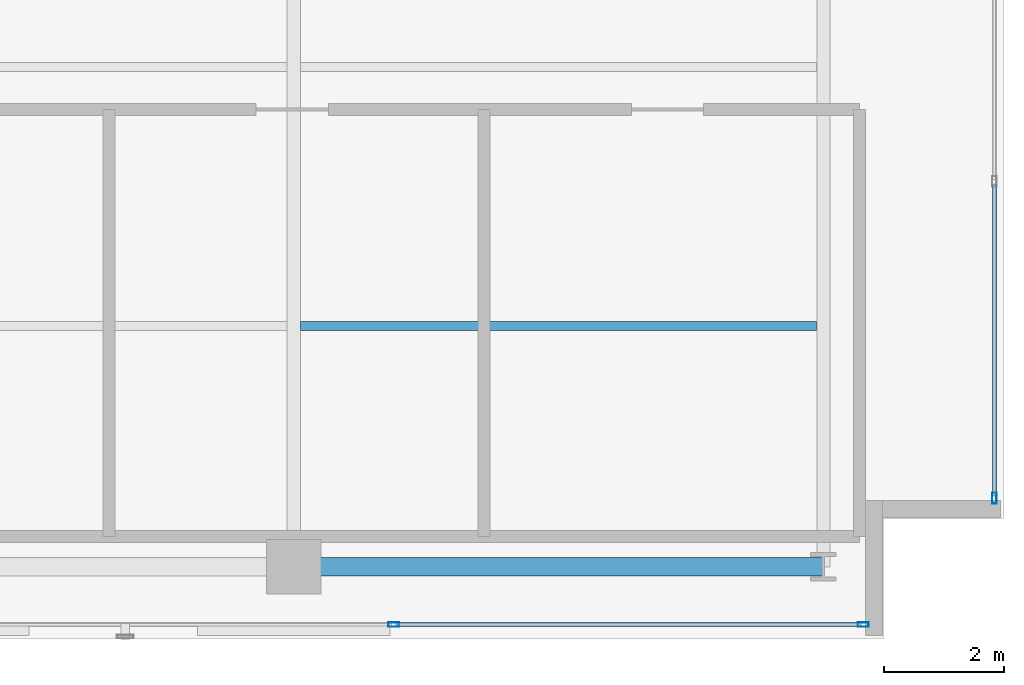
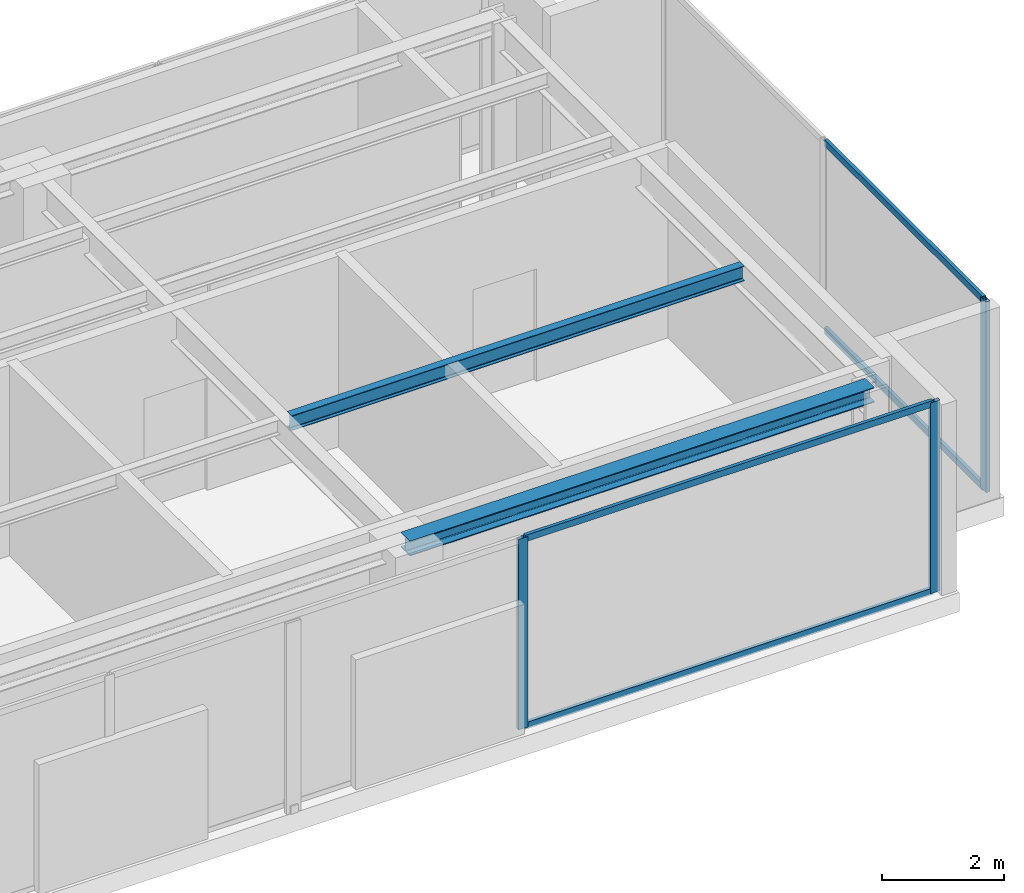
# One storey, part 13 of 24: 7 members, 2 beams, 2 elements without a shape of their own.
"""IFC4 building model written with IfcOpenShell, lengths in metres."""

from ifc_helpers import new_model, si_unit, direction, frame, origin, origin_with_axes, origin_2d, place, context, subcontext, project, spatial, hollow_rectangle, i_section, extrude, source, transform, mapped, material, layer, layer_set, material_profile, profile_set, type_object, element, aggregate, save


model = new_model("IFC4")

# Units and contexts
model_context = context("Model", 3, precision=1e-05, world=origin(), true_north=direction((0.0, 1.0)))
body_context = subcontext(model_context, "Body", "Model", "MODEL_VIEW")
ifc_project = project(units=[si_unit("LENGTHUNIT", "METRE"), si_unit("AREAUNIT", "SQUARE_METRE"), si_unit("VOLUMEUNIT", "CUBIC_METRE"), si_unit("PLANEANGLEUNIT", "RADIAN"), si_unit("MASSUNIT", "GRAM", prefix="KILO")], contexts=[model_context])

# Site, building, storey
site_placement = place(None, origin())
site = spatial("IfcSite", under=ifc_project, at=site_placement, CompositionType="ELEMENT")
building_placement = place(site_placement, origin())
building = spatial("IfcBuilding", under=site, at=building_placement, Name="Kolvaren Waterfront Exchange", CompositionType="ELEMENT")
storey_placement = place(building_placement, frame((0.0, 0.0, 356.199951171875)))
storey = spatial("IfcBuildingStorey", under=building, at=storey_placement, Name="L91", CompositionType="ELEMENT", Elevation=356.199951171875)

# Beams
ifc_material_1 = material(Name="Steel S355", Category="steel")
ifc_material_profile_1 = material_profile(ifc_material_1, i_section(OverallWidth=0.300048828125, OverallDepth=0.300048828125, WebThickness=0.010986328125, FlangeThickness=0.01904296875, FilletRadius=0.027099609375, at=origin_2d()), Name="HEB300")
ifc_profile_set_1 = profile_set([ifc_material_profile_1], Name="Steel S355")
beam_type_1 = type_object("IfcBeamType", Name="STR-BM-HEB300", PredefinedType="SPANDREL", material=ifc_profile_set_1)
beam_1_placement = place(storey_placement, frame((36.800048828125, 5.199951171875, 3.670166015625), z_axis=(1.0, 0.0, 0.0), x_axis=(0.0, 1.0, 0.0)))
element("IfcBeam", 1, at=beam_1_placement, inside=storey, type_object=beam_type_1, Name="L91 east-arm spandrel S3", PredefinedType="SPANDREL", context=body_context, shape_type="SweptSolid", body=[
    extrude(i_section(OverallWidth=0.300048828125, OverallDepth=0.300048828125, WebThickness=0.010986328125, FlangeThickness=0.01904296875, FilletRadius=0.027099609375, at=origin_2d()), origin(), (0.0, 0.0, 1.0), 8.800048828125),
])
ifc_material_profile_2 = material_profile(ifc_material_1, i_section(OverallWidth=0.14990234375, OverallDepth=0.300048828125, WebThickness=0.007080078125, FlangeThickness=0.0107421875, FilletRadius=0.014892578125, at=origin_2d()), Name="IPE300")
ifc_profile_set_2 = profile_set([ifc_material_profile_2], Name="Steel S355")
beam_type_2 = type_object("IfcBeamType", Name="STR-BM-IPE300", PredefinedType="JOIST", material=ifc_profile_set_2)
beam_2_placement = place(storey_placement, frame((36.912109375, 9.199951171875, 3.670166015625), z_axis=(1.0, 0.0, 0.0), x_axis=(0.0, 1.0, 0.0)))
element("IfcBeam", 2, at=beam_2_placement, inside=storey, type_object=beam_type_2, Name="L91 east-arm composite joist 3B", PredefinedType="JOIST", context=body_context, shape_type="SweptSolid", body=[
    extrude(i_section(OverallWidth=0.14990234375, OverallDepth=0.300048828125, WebThickness=0.007080078125, FlangeThickness=0.0107421875, FilletRadius=0.014892578125, at=origin_2d()), origin(), (0.0, 0.0, 1.0), 8.575927734375),
])

# Curtain wall, members
ifc_material_2 = material(Name="Anodised dark bronze spandrel aluminium", Category="aluminium")
ifc_layer = layer(ifc_material_2, 0.219970703125, Name="Anodised dark bronze spandrel aluminium")
ifc_layer_set = layer_set([ifc_layer], Name="Anodised dark bronze spandrel aluminium")
curtain_wall_type = type_object("IfcCurtainWallType", Name="ARC-CW-SYS6", PredefinedType="USERDEFINED", material=ifc_layer_set)
curtain_wall_1_placement = place(storey_placement, origin())
curtain_wall_1 = element("IfcCurtainWall", 3, at=curtain_wall_1_placement, inside=storey, type_object=curtain_wall_type, Name="L91 stick curtain wall CW6 (CW-L91-S)", ObjectType="STICK CURTAIN WALL", PredefinedType="USERDEFINED")
ifc_material_3 = material(Name="Anodised bronze aluminium 6063-T6", Category="aluminium")
ifc_material_profile_3 = material_profile(ifc_material_3, hollow_rectangle(XDim=0.074951171875, YDim=0.179931640625, WallThickness=0.00439453125, at=origin_2d()), Name="ALU-MUL-180x75x4.5")
ifc_profile_set_3 = profile_set([ifc_material_profile_3], Name="Anodised bronze aluminium 6063-T6")
member_type_1 = type_object("IfcMemberType", Name="ARC-CWM-180", PredefinedType="MULLION", material=ifc_profile_set_3)
shared_shape_1 = source(origin_with_axes(), body_context, "Body", "SweptSolid", [
    extrude(hollow_rectangle(XDim=0.074951171875, YDim=0.179931640625, WallThickness=0.00439453125, at=origin_2d()), origin(), (0.0, 0.0, 1.0), 3.820068359375),
])
member_1_placement = place(storey_placement, frame((38.4599609375, 4.239990234375, 0.0), z_axis=(0.0, 0.0, 1.0), x_axis=(0.0, 1.0, 0.0)))
member_1 = element("IfcMember", 4, at=member_1_placement, type_object=member_type_1, Name="CW6 mullion 5", PredefinedType="MULLION", context=body_context, shape_type="MappedRepresentation", body=[
    mapped(shared_shape_1, transform((0.0, 0.0, 0.0), x_axis=(1.0, 0.0, 0.0), y_axis=(0.0, 1.0, 0.0), z_axis=(0.0, 0.0, 1.0), scale=1.0)),
])
member_2_placement = place(storey_placement, frame((46.262451171875, 4.239990234375, 0.0), z_axis=(0.0, 0.0, 1.0), x_axis=(0.0, 1.0, 0.0)))
member_2 = element("IfcMember", 5, at=member_2_placement, type_object=member_type_1, Name="CW6 mullion 6", PredefinedType="MULLION", context=body_context, shape_type="MappedRepresentation", body=[
    mapped(shared_shape_1, transform((0.0, 0.0, 0.0), x_axis=(1.0, 0.0, 0.0), y_axis=(0.0, 1.0, 0.0), z_axis=(0.0, 0.0, 1.0), scale=1.0)),
])

# Curtain wall, member
curtain_wall_2_placement = place(storey_placement, origin())
curtain_wall_2 = element("IfcCurtainWall", 6, at=curtain_wall_2_placement, inside=storey, type_object=curtain_wall_type, Name="L91 stick curtain wall CW6 (CW-L91-ET)", ObjectType="STICK CURTAIN WALL", PredefinedType="USERDEFINED")
member_3_placement = place(storey_placement, frame((48.43994140625, 6.33740234375, 0.0), z_axis=(0.0, 0.0, 1.0), x_axis=(-1.0, 0.0, 0.0)))
member_3 = element("IfcMember", 7, at=member_3_placement, type_object=member_type_1, Name="CW6 mullion 1", PredefinedType="MULLION", context=body_context, shape_type="MappedRepresentation", body=[
    mapped(shared_shape_1, transform((0.0, 0.0, 0.0), x_axis=(1.0, 0.0, 0.0), y_axis=(0.0, 1.0, 0.0), z_axis=(0.0, 0.0, 1.0), scale=1.0)),
])

# Member
ifc_material_profile_4 = material_profile(ifc_material_3, hollow_rectangle(XDim=0.06494140625, YDim=0.1298828125, WallThickness=0.00390625, at=origin_2d()), Name="ALU-TRN-130x65x4")
ifc_profile_set_4 = profile_set([ifc_material_profile_4], Name="Anodised bronze aluminium 6063-T6")
member_type_2 = type_object("IfcMemberType", Name="ARC-CWT-130", PredefinedType="USERDEFINED", material=ifc_profile_set_4)
shared_shape_2 = source(origin_with_axes(), body_context, "Body", "SweptSolid", [
    extrude(hollow_rectangle(XDim=0.06494140625, YDim=0.1298828125, WallThickness=0.00390625, at=origin_2d()), origin(), (0.0, 0.0, 1.0), 7.7275390625),
])
member_4_placement = place(storey_placement, frame((38.49755859375, 4.239990234375, 0.032470703125), z_axis=(1.0, 0.0, 0.0), x_axis=(0.0, 1.0, 0.0)))
member_4 = element("IfcMember", 8, at=member_4_placement, type_object=member_type_2, Name="CW6 transom 5.1", ObjectType="TRANSOM", PredefinedType="USERDEFINED", context=body_context, shape_type="MappedRepresentation", body=[
    mapped(shared_shape_2, transform((0.0, 0.0, 0.0), x_axis=(1.0, 0.0, 0.0), y_axis=(0.0, 1.0, 0.0), z_axis=(0.0, 0.0, 1.0), scale=1.0)),
])

member_5_placement = place(storey_placement, frame((38.49755859375, 4.239990234375, 3.78759765625), z_axis=(1.0, 0.0, 0.0), x_axis=(0.0, 1.0, 0.0)))
member_5 = element("IfcMember", 9, at=member_5_placement, type_object=member_type_2, Name="CW6 transom 5.2", ObjectType="TRANSOM", PredefinedType="USERDEFINED", context=body_context, shape_type="MappedRepresentation", body=[
    mapped(shared_shape_2, transform((0.0, 0.0, 0.0), x_axis=(1.0, 0.0, 0.0), y_axis=(0.0, 1.0, 0.0), z_axis=(0.0, 0.0, 1.0), scale=1.0)),
])

aggregate(curtain_wall_1, [member_1, member_2, member_4, member_5])

shared_shape_3 = source(origin_with_axes(), body_context, "Body", "SweptSolid", [
    extrude(hollow_rectangle(XDim=0.06494140625, YDim=0.1298828125, WallThickness=0.00390625, at=origin_2d()), origin(), (0.0, 0.0, 1.0), 5.1875),
])
member_6_placement = place(storey_placement, frame((48.43994140625, 6.375, 0.032470703125), z_axis=(0.0, 1.0, 0.0), x_axis=(-1.0, 0.0, 0.0)))
member_6 = element("IfcMember", 10, at=member_6_placement, type_object=member_type_2, Name="CW6 transom 1.1", ObjectType="TRANSOM", PredefinedType="USERDEFINED", context=body_context, shape_type="MappedRepresentation", body=[
    mapped(shared_shape_3, transform((0.0, 0.0, 0.0), x_axis=(1.0, 0.0, 0.0), y_axis=(0.0, 1.0, 0.0), z_axis=(0.0, 0.0, 1.0), scale=1.0)),
])

member_7_placement = place(storey_placement, frame((48.43994140625, 6.375, 3.78759765625), z_axis=(0.0, 1.0, 0.0), x_axis=(-1.0, 0.0, 0.0)))
member_7 = element("IfcMember", 11, at=member_7_placement, type_object=member_type_2, Name="CW6 transom 1.2", ObjectType="TRANSOM", PredefinedType="USERDEFINED", context=body_context, shape_type="MappedRepresentation", body=[
    mapped(shared_shape_3, transform((0.0, 0.0, 0.0), x_axis=(1.0, 0.0, 0.0), y_axis=(0.0, 1.0, 0.0), z_axis=(0.0, 0.0, 1.0), scale=1.0)),
])

aggregate(curtain_wall_2, [member_3, member_6, member_7])

save(model, "model.ifc")
